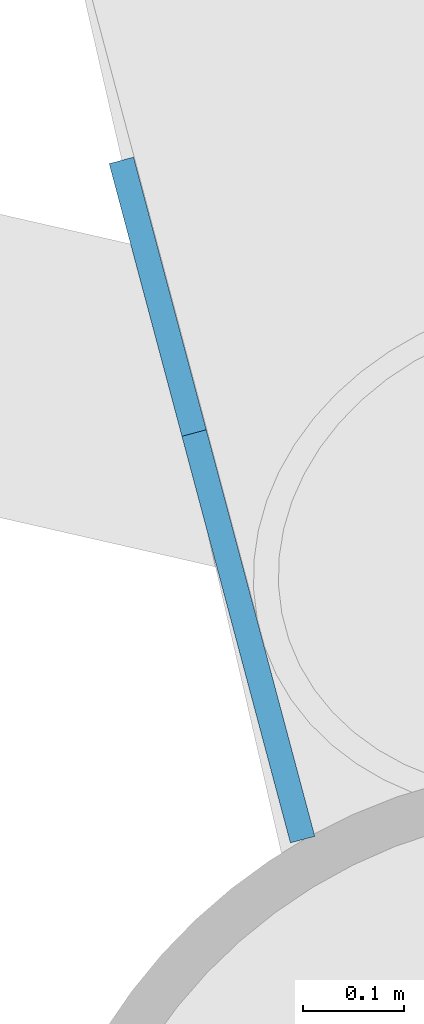
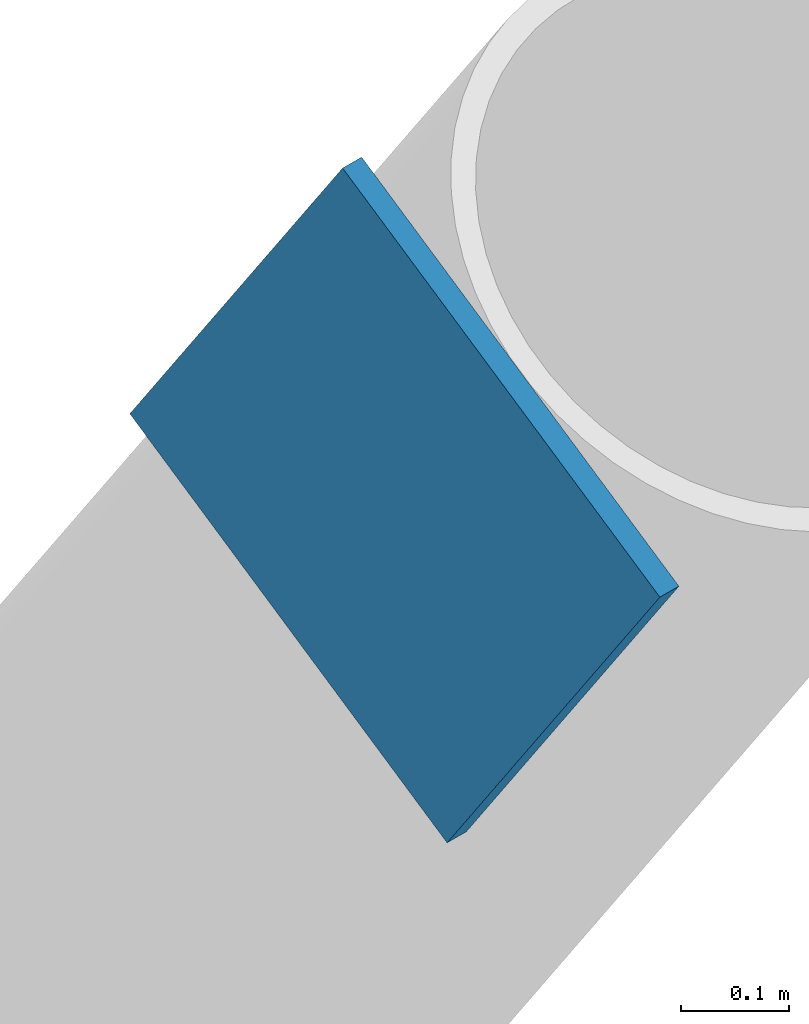
# One storey, part 12 of 21: 1 discrete accessory.
"""IFC4 building model written with IfcOpenShell, lengths in metres."""

from ifc_helpers import new_model, si_unit, direction, frame, origin, origin_2d, place, context, subcontext, project, spatial, rectangle, extrude, material, material_profile, profile_set, type_object, element, save


model = new_model("IFC4")

# Units and contexts
model_context = context("Model", 3, precision=1e-05, world=origin(), true_north=direction((0.0, 1.0)))
body_context = subcontext(model_context, "Body", "Model", "MODEL_VIEW")
ifc_project = project(units=[si_unit("LENGTHUNIT", "METRE"), si_unit("AREAUNIT", "SQUARE_METRE"), si_unit("VOLUMEUNIT", "CUBIC_METRE"), si_unit("PLANEANGLEUNIT", "RADIAN"), si_unit("MASSUNIT", "GRAM", prefix="KILO")], contexts=[model_context])

# Site, building, storey
site_placement = place(None, origin())
site = spatial("IfcSite", under=ifc_project, at=site_placement, CompositionType="ELEMENT")
building_placement = place(site_placement, origin())
building = spatial("IfcBuilding", under=site, at=building_placement, Name="Tarsis Ring Headquarters", CompositionType="ELEMENT")
storey_placement = place(building_placement, frame((0.0, 0.0, 171.0)))
storey = spatial("IfcBuildingStorey", under=building, at=storey_placement, Name="L39", CompositionType="ELEMENT", Elevation=171.0)

# Discrete accessory
ifc_material = material(Name="Structural steel S355", Category="steel")
ifc_material_profile = material_profile(ifc_material, rectangle(XDim=0.02490234375, YDim=0.5, at=origin_2d()), Name="PL 25x500")
ifc_profile_set = profile_set([ifc_material_profile], Name="Structural steel S355")
discrete_accessory_type = type_object("IfcDiscreteAccessoryType", Name="Gusset plate Exo brace 25", PredefinedType="BRACKET", material=ifc_profile_set)
discrete_accessory_placement = place(storey_placement, frame((28.712158203125, 1.23486328125, 7.800048828125), z_axis=(-0.143555765634, 0.538089978671, -0.830572644028), x_axis=(-0.966205828879, -0.257771791008, 0.0)))
element("IfcDiscreteAccessory", 1, at=discrete_accessory_placement, inside=storey, type_object=discrete_accessory_type, Name="Gusset plate GP5", PredefinedType="BRACKET", context=body_context, shape_type="SweptSolid", body=[
    extrude(rectangle(XDim=0.02490234375, YDim=0.5, at=origin_2d()), origin(), (0.0, 0.0, 1.0), 0.5),
])

save(model, "model.ifc")
